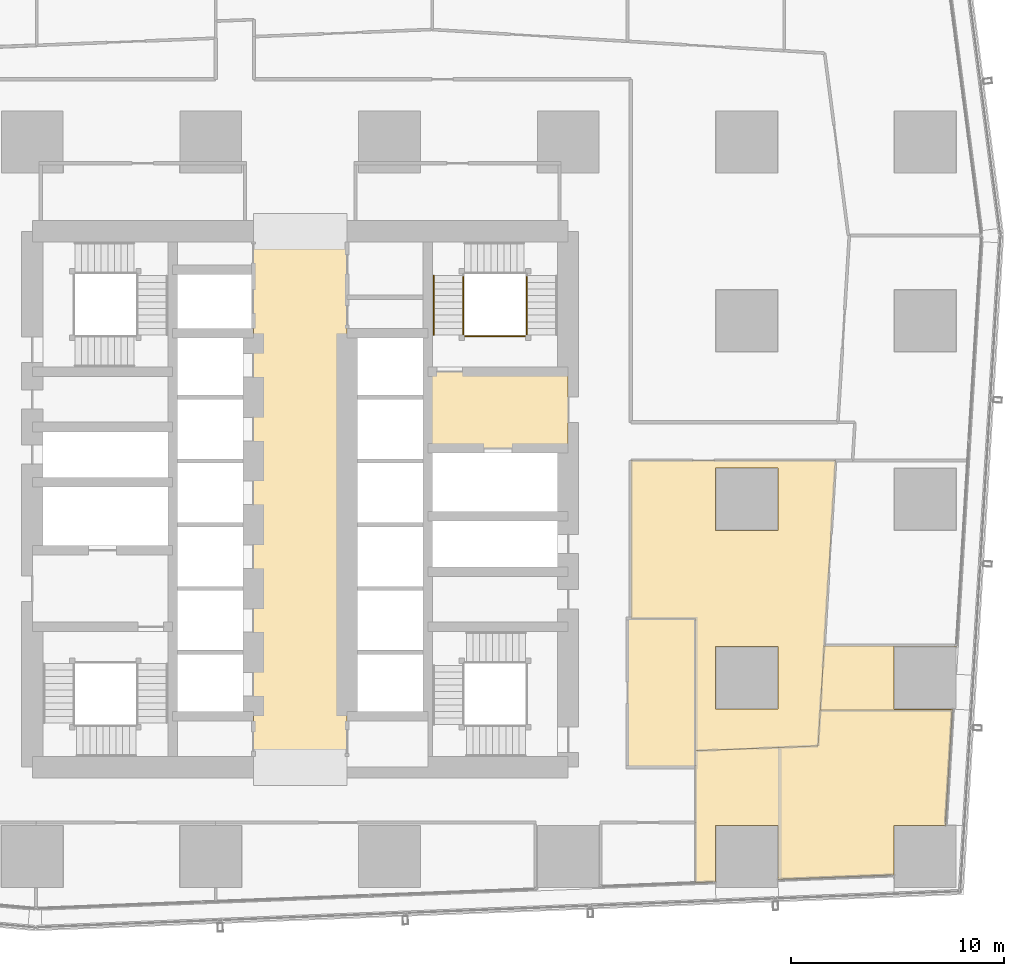
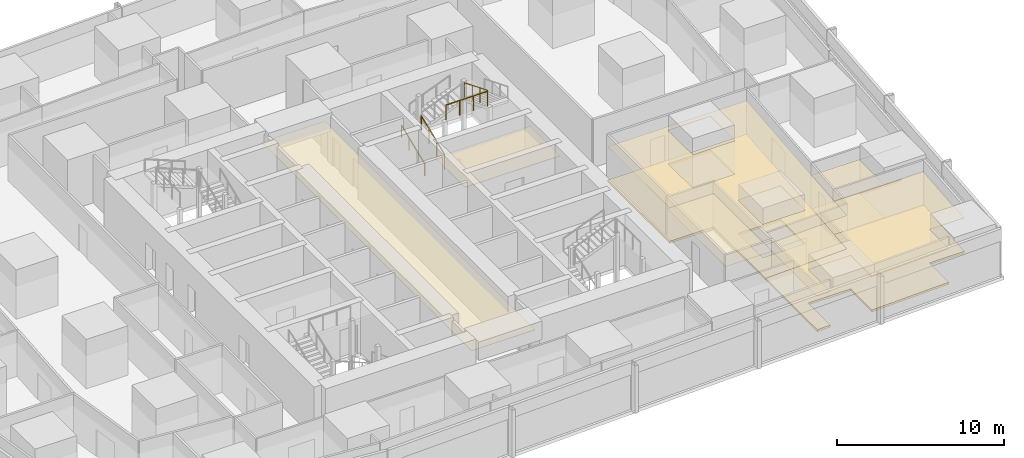
# One storey, part 38 of 40: 9 coverings, 4 railings.
"""IFC4 building model written with IfcOpenShell, lengths in metres."""

from ifc_helpers import new_model, si_unit, direction, frame, origin, origin_2d, place, context, subcontext, project, spatial, polyline, circle, outline, extrude, material, layer, layer_set, type_object, element, save


model = new_model("IFC4")

# Units and contexts
model_context = context("Model", 3, precision=1e-05, world=origin(), true_north=direction((0.0, 1.0)))
body_context = subcontext(model_context, "Body", "Model", "MODEL_VIEW")
ifc_project = project(units=[si_unit("LENGTHUNIT", "METRE"), si_unit("AREAUNIT", "SQUARE_METRE"), si_unit("VOLUMEUNIT", "CUBIC_METRE"), si_unit("PLANEANGLEUNIT", "RADIAN"), si_unit("MASSUNIT", "GRAM", prefix="KILO")], contexts=[model_context])

# Site, building, storey
site_placement = place(None, origin())
site = spatial("IfcSite", under=ifc_project, at=site_placement, CompositionType="ELEMENT")
building_placement = place(site_placement, origin())
building = spatial("IfcBuilding", under=site, at=building_placement, Name="Rekha Terrace Tower", CompositionType="ELEMENT")
storey_placement = place(building_placement, frame((0.0, 0.0, 95.300048828125)))
storey = spatial("IfcBuildingStorey", under=building, at=storey_placement, Name="L23", CompositionType="ELEMENT", Elevation=95.300048828125)

# Coverings
ifc_material_1 = material(Name="Mineral fibre tile in exposed grid", Category="finish")
ifc_layer_1 = layer(ifc_material_1, 0.02001953125)
ifc_layer_set_1 = layer_set([ifc_layer_1], Name="Mineral fibre tile in exposed grid")
covering_type_1 = type_object("IfcCoveringType", Name="CL1 600x1200 office grid ceiling", PredefinedType="CEILING", material=ifc_layer_set_1)
covering_1_placement = place(storey_placement, frame((0.0, 0.0, 2.579833984375)))
element("IfcCovering", 1, at=covering_1_placement, inside=storey, type_object=covering_type_1, Name="Ceiling L23-15", PredefinedType="CEILING", context=body_context, shape_type="SweptSolid", body=[
    extrude(outline(polyline([(60.304931640625, 21.927001953125), (56.402099609375, 21.77490234375), (56.402099609375, 15.571044921875), (57.3349609375, 15.60693359375), (57.3349609375, 18.264892578125), (60.264892578125, 18.264892578125), (60.264892578125, 15.719970703125), (60.304931640625, 15.721923828125), (65.735107421875, 15.93408203125), (65.735107421875, 18.264892578125), (68.137939453125, 18.264892578125), (68.470947265625, 23.69091796875), (62.259033203125, 23.69091796875), (62.156005859375, 21.9990234375), (60.304931640625, 21.927001953125)])), origin(), (0.0, 0.0, 1.0), 0.02001953125),
])
covering_2_placement = place(storey_placement, frame((0.0, 0.0, 2.579833984375)))
element("IfcCovering", 2, at=covering_2_placement, inside=storey, type_object=covering_type_1, Name="Ceiling L23-16", PredefinedType="CEILING", context=body_context, shape_type="SweptSolid", body=[
    extrude(outline(polyline([(65.735107421875, 26.6650390625), (68.653076171875, 26.6650390625), (68.655029296875, 26.701904296875), (62.444091796875, 26.701904296875), (62.259033203125, 23.69189453125), (68.470947265625, 23.69189453125), (68.47412109375, 23.735107421875), (65.735107421875, 23.735107421875), (65.735107421875, 26.6650390625)])), origin(), (0.0, 0.0, 1.0), 0.02001953125),
])
covering_3_placement = place(storey_placement, frame((0.0, 0.0, 2.579833984375)))
element("IfcCovering", 3, at=covering_3_placement, inside=storey, type_object=covering_type_1, Name="Ceiling L23-O2", PredefinedType="CEILING", context=body_context, shape_type="SweptSolid", body=[
    extrude(outline(polyline([(56.39990234375, 28.0), (56.39990234375, 21.77490234375), (60.322021484375, 21.927978515625), (62.156005859375, 21.9990234375), (62.259033203125, 23.69189453125), (62.444091796875, 26.702880859375), (62.97802734375, 35.4208984375), (53.35009765625, 35.4208984375), (53.35009765625, 28.0), (56.39990234375, 28.0)]), holes=[polyline([(60.264892578125, 26.6650390625), (60.264892578125, 23.735107421875), (57.3349609375, 23.735107421875), (57.3349609375, 26.6650390625), (60.264892578125, 26.6650390625)]), polyline([(60.264892578125, 32.135009765625), (57.3349609375, 32.135009765625), (57.3349609375, 35.06494140625), (60.264892578125, 35.06494140625), (60.264892578125, 32.135009765625)])]), origin(), (0.0, 0.0, 1.0), 0.02001953125),
])
ifc_material_2 = material(Name="Fibre cement board", Category="finish")
ifc_layer_2 = layer(ifc_material_2, 0.014892578125)
ifc_layer_set_2 = layer_set([ifc_layer_2], Name="Fibre cement board")
covering_type_2 = type_object("IfcCoveringType", Name="CL2 moisture-resistant board ceiling", PredefinedType="CEILING", material=ifc_layer_set_2)
covering_4_placement = place(storey_placement, frame((0.0, 0.0, 2.5849609375)))
element("IfcCovering", 4, at=covering_4_placement, inside=storey, type_object=covering_type_2, Name="Ceiling L23-WCM2", PredefinedType="CEILING", context=body_context, shape_type="SweptSolid", body=[
    extrude(outline(polyline([(56.39990234375, 28.0), (53.199951171875, 28.0), (53.199951171875, 21.0), (56.39990234375, 21.0), (56.39990234375, 28.0)])), origin(), (0.0, 0.0, 1.0), 0.014892578125),
])
ifc_material_3 = material(Name="Powder-coated aluminium pan", Category="aluminium")
ifc_layer_3 = layer(ifc_material_3, 0.030029296875)
ifc_layer_set_3 = layer_set([ifc_layer_3], Name="Powder-coated aluminium pan")
covering_type_3 = type_object("IfcCoveringType", Name="CL3 300x1200 metal pan ceiling", PredefinedType="CEILING", material=ifc_layer_set_3)
covering_5_placement = place(storey_placement, frame((0.0, 0.0, 2.570068359375)))
element("IfcCovering", 5, at=covering_5_placement, inside=storey, type_object=covering_type_3, Name="Ceiling L23-LOBBY", PredefinedType="CEILING", context=body_context, shape_type="SweptSolid", body=[
    extrude(outline(polyline([(40.0, 46.199951171875), (35.60009765625, 46.199951171875), (35.60009765625, 21.0), (40.0, 21.0), (40.0, 46.199951171875)])), origin(), (0.0, 0.0, 1.0), 0.02978515625),
])
covering_6_placement = place(storey_placement, frame((0.0, 0.0, 2.570068359375)))
element("IfcCovering", 6, at=covering_6_placement, inside=storey, type_object=covering_type_3, Name="Ceiling L23-FLB2", PredefinedType="CEILING", context=body_context, shape_type="SweptSolid", body=[
    extrude(outline(polyline([(50.39990234375, 39.60009765625), (43.800048828125, 39.60009765625), (43.800048828125, 36.0), (50.39990234375, 36.0), (50.39990234375, 39.60009765625)])), origin(), (0.0, 0.0, 1.0), 0.02978515625),
])

# Railings
ifc_material_4 = material(Name="Stainless steel balustrade", Category="steel")
railing_type_1 = type_object("IfcRailingType", Name="GR1 1100 stair guard", PredefinedType="GUARDRAIL", material=ifc_material_4)
railing_1_placement = place(storey_placement, frame((45.465087890625, 41.324951171875, 0.125)))
element("IfcRailing", 7, at=railing_1_placement, inside=storey, type_object=railing_type_1, Name="Guard ST2 L23 flight 1", PredefinedType="GUARDRAIL", context=body_context, shape_type="SweptSolid", body=[
    extrude(circle(Radius=0.02392578125, at=origin_2d()), frame((0.0, 0.0, 1.076171875), z_axis=(0.0, 0.927443287984, 0.373963831907), x_axis=(-1.0, 0.0, 0.0)), (0.0, 0.0, 1.0), 3.00830078125),
    extrude(circle(Radius=0.02099609375, at=origin_2d()), origin(), (0.0, 0.0, 1.0), 1.052001953125),
    extrude(circle(Radius=0.02099609375, at=origin_2d()), frame((0.0, 0.929931640625, 0.375)), (0.0, 0.0, 1.0), 1.052001953125),
    extrude(circle(Radius=0.02099609375, at=origin_2d()), frame((0.0, 1.860107421875, 0.75)), (0.0, 0.0, 1.0), 1.052001953125),
    extrude(circle(Radius=0.02099609375, at=origin_2d()), frame((0.0, 2.7900390625, 1.125)), (0.0, 0.0, 1.0), 1.052001953125),
])
railing_2_placement = place(storey_placement, frame((48.4599609375, 44.114990234375, 2.625)))
element("IfcRailing", 8, at=railing_2_placement, inside=storey, type_object=railing_type_1, Name="Guard ST2 L23 flight 3", PredefinedType="GUARDRAIL", context=body_context, shape_type="SweptSolid", body=[
    extrude(circle(Radius=0.02392578125, at=origin_2d()), frame((0.0, 0.0, 1.076171875), z_axis=(0.0, -0.927443287984, 0.373963831907), x_axis=(1.0, 0.0, 0.0)), (0.0, 0.0, 1.0), 3.00830078125),
    extrude(circle(Radius=0.02099609375, at=origin_2d()), origin(), (0.0, 0.0, 1.0), 1.052001953125),
    extrude(circle(Radius=0.02099609375, at=origin_2d()), frame((0.0, -0.929931640625, 0.375)), (0.0, 0.0, 1.0), 1.052001953125),
    extrude(circle(Radius=0.02099609375, at=origin_2d()), frame((0.0, -1.860107421875, 0.75)), (0.0, 0.0, 1.0), 1.052001953125),
    extrude(circle(Radius=0.02099609375, at=origin_2d()), frame((0.0, -2.7900390625, 1.125)), (0.0, 0.0, 1.0), 1.052001953125),
])
railing_3_placement = place(storey_placement, frame((45.52490234375, 41.264892578125, 3.75)))
element("IfcRailing", 9, at=railing_3_placement, inside=storey, type_object=railing_type_1, Name="Guard ST2 L23 landing 4", PredefinedType="GUARDRAIL", context=body_context, shape_type="SweptSolid", body=[
    extrude(circle(Radius=0.02392578125, at=origin_2d()), frame((0.0, 0.0, 1.076171875), z_axis=(1.0, 0.0, 0.0), x_axis=(0.0, 1.0, 0.0)), (0.0, 0.0, 1.0), 2.875),
    extrude(circle(Radius=0.02099609375, at=origin_2d()), origin(), (0.0, 0.0, 1.0), 1.052001953125),
    extrude(circle(Radius=0.02099609375, at=origin_2d()), frame((0.958251953125, 0.0, 0.0)), (0.0, 0.0, 1.0), 1.052001953125),
    extrude(circle(Radius=0.02099609375, at=origin_2d()), frame((1.916748046875, 0.0, 0.0)), (0.0, 0.0, 1.0), 1.052001953125),
    extrude(circle(Radius=0.02099609375, at=origin_2d()), frame((2.875, 0.0, 0.0)), (0.0, 0.0, 1.0), 1.052001953125),
])
ifc_material_5 = material(Name="Stainless steel tube", Category="steel")
railing_type_2 = type_object("IfcRailingType", Name="HR1 900 stair handrail", PredefinedType="HANDRAIL", material=ifc_material_5)
railing_4_placement = place(storey_placement, frame((44.0849609375, 41.324951171875, 0.125)))
element("IfcRailing", 10, at=railing_4_placement, inside=storey, type_object=railing_type_2, Name="Handrail ST2 L23 flight 1", PredefinedType="HANDRAIL", context=body_context, shape_type="SweptSolid", body=[
    extrude(circle(Radius=0.02392578125, at=origin_2d()), frame((0.0, 0.0, 0.8759765625), z_axis=(0.0, 0.927443287984, 0.373963831907), x_axis=(-1.0, 0.0, 0.0)), (0.0, 0.0, 1.0), 3.00830078125),
    extrude(circle(Radius=0.02099609375, at=origin_2d()), origin(), (0.0, 0.0, 1.0), 0.851806640625),
    extrude(circle(Radius=0.02099609375, at=origin_2d()), frame((0.0, 0.929931640625, 0.375)), (0.0, 0.0, 1.0), 0.851806640625),
    extrude(circle(Radius=0.02099609375, at=origin_2d()), frame((0.0, 1.860107421875, 0.75)), (0.0, 0.0, 1.0), 0.851806640625),
    extrude(circle(Radius=0.02099609375, at=origin_2d()), frame((0.0, 2.7900390625, 1.125)), (0.0, 0.0, 1.0), 0.851806640625),
])

# Coverings
ifc_material_6 = material(Name="Calcium sulphate panels on steel pedestals", Category="steel")
ifc_layer_4 = layer(ifc_material_6, 0.14990234375)
ifc_layer_set_4 = layer_set([ifc_layer_4], Name="Calcium sulphate panels on steel pedestals")
covering_type_4 = type_object("IfcCoveringType", Name="RF1 150 raised access floor", PredefinedType="FLOORING", material=ifc_layer_set_4)
covering_7_placement = place(storey_placement, origin())
element("IfcCovering", 11, at=covering_7_placement, inside=storey, type_object=covering_type_4, Name="Raised floor L23-15", PredefinedType="FLOORING", context=body_context, shape_type="SweptSolid", body=[
    extrude(outline(polyline([(60.304931640625, 21.927001953125), (56.402099609375, 21.77490234375), (56.402099609375, 15.571044921875), (57.3349609375, 15.60693359375), (57.3349609375, 18.264892578125), (60.264892578125, 18.264892578125), (60.264892578125, 15.719970703125), (60.304931640625, 15.721923828125), (65.735107421875, 15.93408203125), (65.735107421875, 18.264892578125), (68.137939453125, 18.264892578125), (68.470947265625, 23.69091796875), (62.259033203125, 23.69091796875), (62.156005859375, 21.9990234375), (60.304931640625, 21.927001953125)])), origin(), (0.0, 0.0, 1.0), 0.14990234375),
])
covering_8_placement = place(storey_placement, origin())
element("IfcCovering", 12, at=covering_8_placement, inside=storey, type_object=covering_type_4, Name="Raised floor L23-16", PredefinedType="FLOORING", context=body_context, shape_type="SweptSolid", body=[
    extrude(outline(polyline([(65.735107421875, 26.6650390625), (68.653076171875, 26.6650390625), (68.655029296875, 26.701904296875), (62.444091796875, 26.701904296875), (62.259033203125, 23.69189453125), (68.470947265625, 23.69189453125), (68.47412109375, 23.735107421875), (65.735107421875, 23.735107421875), (65.735107421875, 26.6650390625)])), origin(), (0.0, 0.0, 1.0), 0.14990234375),
])
covering_9_placement = place(storey_placement, origin())
element("IfcCovering", 13, at=covering_9_placement, inside=storey, type_object=covering_type_4, Name="Raised floor L23-O2", PredefinedType="FLOORING", context=body_context, shape_type="SweptSolid", body=[
    extrude(outline(polyline([(56.39990234375, 28.0), (56.39990234375, 21.77490234375), (60.322021484375, 21.927978515625), (62.156005859375, 21.9990234375), (62.259033203125, 23.69189453125), (62.444091796875, 26.702880859375), (62.97802734375, 35.4208984375), (53.35009765625, 35.4208984375), (53.35009765625, 28.0), (56.39990234375, 28.0)]), holes=[polyline([(60.264892578125, 26.6650390625), (60.264892578125, 23.735107421875), (57.3349609375, 23.735107421875), (57.3349609375, 26.6650390625), (60.264892578125, 26.6650390625)]), polyline([(60.264892578125, 32.135009765625), (57.3349609375, 32.135009765625), (57.3349609375, 35.06494140625), (60.264892578125, 35.06494140625), (60.264892578125, 32.135009765625)])]), origin(), (0.0, 0.0, 1.0), 0.14990234375),
])

save(model, "model.ifc")
